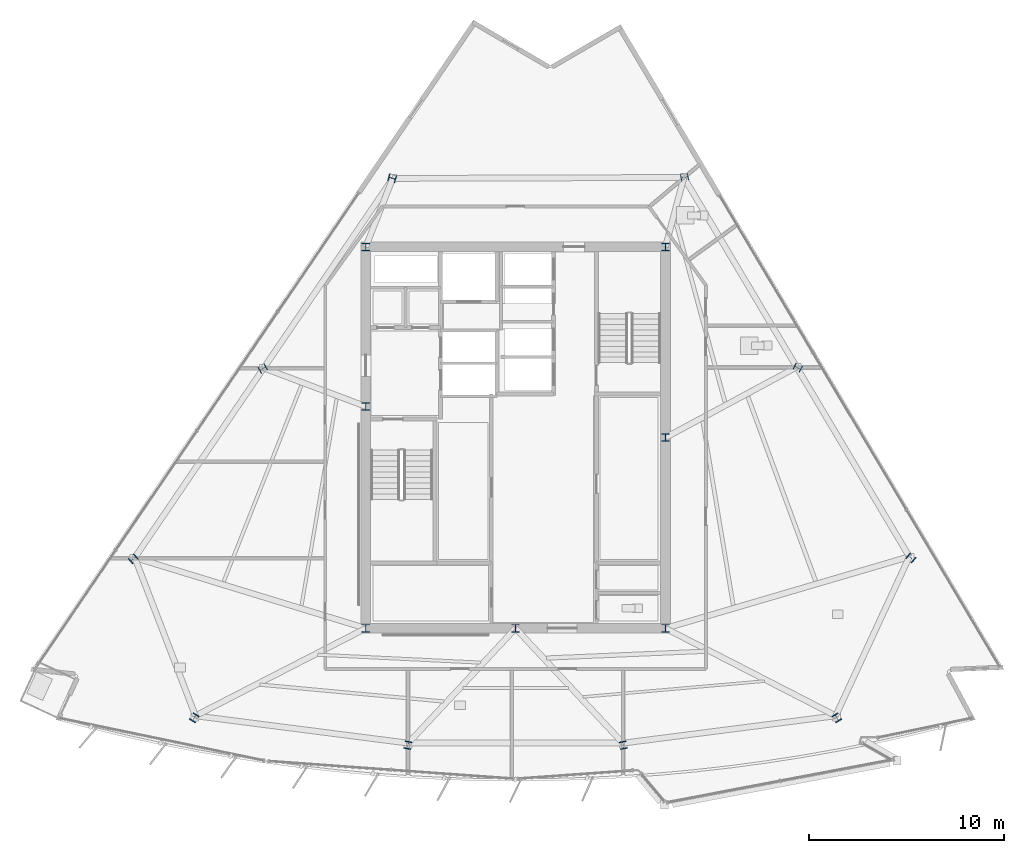
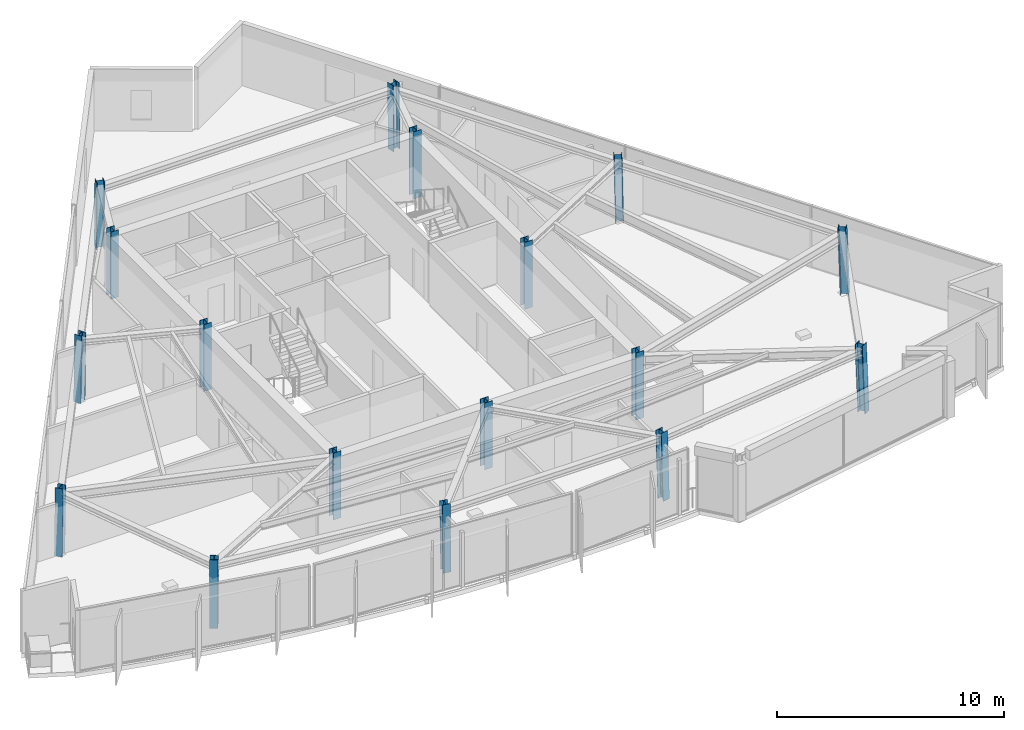
# One storey, part 1 of 14: 17 columns.
"""IFC4 building model written with IfcOpenShell, lengths in metres."""

from ifc_helpers import new_model, si_unit, direction, frame, origin, origin_2d, place, context, subcontext, project, spatial, i_section, extrude, material, material_profile, profile_set, type_object, element, save


model = new_model("IFC4")

# Units and contexts
model_context = context("Model", 3, precision=1e-05, world=origin(), true_north=direction((0.0, 1.0)))
body_context = subcontext(model_context, "Body", "Model", "MODEL_VIEW")
ifc_project = project(units=[si_unit("LENGTHUNIT", "METRE"), si_unit("AREAUNIT", "SQUARE_METRE"), si_unit("VOLUMEUNIT", "CUBIC_METRE"), si_unit("PLANEANGLEUNIT", "RADIAN"), si_unit("MASSUNIT", "GRAM", prefix="KILO")], contexts=[model_context])

# Site, building, storey
site_placement = place(None, origin())
site = spatial("IfcSite", under=ifc_project, at=site_placement, CompositionType="ELEMENT")
building_placement = place(site_placement, origin())
building = spatial("IfcBuilding", under=site, at=building_placement, Name="Savorim Split Tower", CompositionType="ELEMENT")
storey_placement = place(building_placement, frame((0.0, 0.0, 219.89990234375)))
storey = spatial("IfcBuildingStorey", under=building, at=storey_placement, Name="L58", CompositionType="ELEMENT", Elevation=219.89990234375)

# Columns
ifc_material = material(Name="Steel S355", Category="steel")
ifc_material_profile_1 = material_profile(ifc_material, i_section(OverallWidth=0.3740234375, OverallDepth=0.3720703125, WebThickness=0.01220703125, FlangeThickness=0.02001953125, FilletRadius=0.014892578125, at=origin_2d()), Name="HD 360x196")
ifc_profile_set_1 = profile_set([ifc_material_profile_1], Name="Steel S355")
column_type_1 = type_object("IfcColumnType", Name="COL-HD-196", PredefinedType="COLUMN", material=ifc_profile_set_1)
column_1_placement = place(storey_placement, frame((-16.52197265625, -14.0146484375, 0.005615234375), z_axis=(0.020596292833, 0.033511459955, 0.999226087917), x_axis=(-0.851954850327, 0.523615252838, 0.0)))
element("IfcColumn", 1, at=column_1_placement, inside=storey, type_object=column_type_1, Name="L58 Tapered Perimeter Column PC-S1", PredefinedType="COLUMN", context=body_context, shape_type="SweptSolid", body=[
    extrude(i_section(OverallWidth=0.3740234375, OverallDepth=0.3720703125, WebThickness=0.01220703125, FlangeThickness=0.02001953125, FilletRadius=0.014892578125, at=origin_2d()), origin(), (0.0, 0.0, 1.0), 3.591552734375),
])
for number, where, z_axis, x_axis, name in (
    (2, (-5.537353515625, -15.425048828125, 0.005615234375), (0.006866308162, 0.0352833063, 0.999353762243), (-0.981585848295, 0.191021523464, 0.0), "L58 Tapered Perimeter Column PC-S2"),
    (3, (5.537353515625, -15.425048828125, 0.005615234375), (-0.006866308162, 0.0352833063, 0.999353762243), (-0.981585848295, -0.191021523464, 0.0), "L58 Tapered Perimeter Column PC-S3"),
):
    element("IfcColumn", number, at=place(storey_placement, frame(where, z_axis=z_axis, x_axis=x_axis)), inside=storey, type_object=column_type_1, Name=name, PredefinedType="COLUMN", context=body_context, shape_type="SweptSolid", body=[
        extrude(i_section(OverallWidth=0.3740234375, OverallDepth=0.3720703125, WebThickness=0.01220703125, FlangeThickness=0.02001953125, FilletRadius=0.014892578125, at=origin_2d()), origin(), (0.0, 0.0, 1.0), 3.59130859375),
    ])
column_2_placement = place(storey_placement, frame((16.52197265625, -14.0146484375, 0.005615234375), z_axis=(-0.020596292833, 0.033511459955, 0.999226087917), x_axis=(-0.851954850327, -0.523615252838, 0.0)))
element("IfcColumn", 4, at=column_2_placement, inside=storey, type_object=column_type_1, Name="L58 Tapered Perimeter Column PC-S4", PredefinedType="COLUMN", context=body_context, shape_type="SweptSolid", body=[
    extrude(i_section(OverallWidth=0.3740234375, OverallDepth=0.3720703125, WebThickness=0.01220703125, FlangeThickness=0.02001953125, FilletRadius=0.014892578125, at=origin_2d()), origin(), (0.0, 0.0, 1.0), 3.591552734375),
])
column_3_placement = place(storey_placement, frame((20.324951171875, -5.796630859375, 0.005615234375), z_axis=(-0.026107436898, 0.021620221181, 0.999425318758), x_axis=(-0.637813971185, -0.770190455771, 0.0)))
element("IfcColumn", 5, at=column_3_placement, inside=storey, type_object=column_type_1, Name="L58 Tapered Perimeter Column PC-E1", PredefinedType="COLUMN", context=body_context, shape_type="SweptSolid", body=[
    extrude(i_section(OverallWidth=0.3740234375, OverallDepth=0.3720703125, WebThickness=0.01220703125, FlangeThickness=0.02001953125, FilletRadius=0.014892578125, at=origin_2d()), origin(), (0.0, 0.0, 1.0), 3.5908203125),
])
column_4_placement = place(storey_placement, frame((14.50634765625, 3.98876953125, 0.005615234375), z_axis=(-0.018907314261, 0.009589680974, 0.999775250487), x_axis=(-0.452339157861, -0.891845999187, 0.0)))
element("IfcColumn", 6, at=column_4_placement, inside=storey, type_object=column_type_1, Name="L58 Tapered Perimeter Column PC-E2", PredefinedType="COLUMN", context=body_context, shape_type="SweptSolid", body=[
    extrude(i_section(OverallWidth=0.3740234375, OverallDepth=0.3720703125, WebThickness=0.01220703125, FlangeThickness=0.02001953125, FilletRadius=0.014892578125, at=origin_2d()), origin(), (0.0, 0.0, 1.0), 3.589599609375),
])
for number, where, z_axis, x_axis, name in (
    (7, (8.687744140625, 13.774169921875, 0.005615234375), (-0.011699842352, -0.002516826552, 0.999928387072), (0.210305364179, -0.977635746993, 0.0), "L58 Tapered Perimeter Column PC-E3"),
    (8, (-6.343994140625, 13.725341796875, 0.005615234375), (0.00877514453, -0.002516901919, 0.999958330153), (0.275705143097, 0.961242255662, 0.0), "L58 Tapered Perimeter Column PC-W1"),
):
    element("IfcColumn", number, at=place(storey_placement, frame(where, z_axis=z_axis, x_axis=x_axis)), inside=storey, type_object=column_type_1, Name=name, PredefinedType="COLUMN", context=body_context, shape_type="SweptSolid", body=[
        extrude(i_section(OverallWidth=0.3740234375, OverallDepth=0.3720703125, WebThickness=0.01220703125, FlangeThickness=0.02001953125, FilletRadius=0.014892578125, at=origin_2d()), origin(), (0.0, 0.0, 1.0), 3.589111328125),
    ])
column_5_placement = place(storey_placement, frame((-13.000732421875, 3.93994140625, 0.005615234375), z_axis=(0.017003561856, 0.009590008887, 0.99980943715), x_axis=(-0.491253415567, 0.871016694268, 0.0)))
element("IfcColumn", 9, at=column_5_placement, inside=storey, type_object=column_type_1, Name="L58 Tapered Perimeter Column PC-W2", PredefinedType="COLUMN", context=body_context, shape_type="SweptSolid", body=[
    extrude(i_section(OverallWidth=0.3740234375, OverallDepth=0.3720703125, WebThickness=0.01220703125, FlangeThickness=0.02001953125, FilletRadius=0.014892578125, at=origin_2d()), origin(), (0.0, 0.0, 1.0), 3.589599609375),
])
column_6_placement = place(storey_placement, frame((-19.65771484375, -5.845458984375, 0.005615234375), z_axis=(0.025292109804, 0.02162067451, 0.999446274502), x_axis=(-0.649781149204, 0.760121344352, 0.0)))
element("IfcColumn", 10, at=column_6_placement, inside=storey, type_object=column_type_1, Name="L58 Tapered Perimeter Column PC-W3", PredefinedType="COLUMN", context=body_context, shape_type="SweptSolid", body=[
    extrude(i_section(OverallWidth=0.3740234375, OverallDepth=0.3720703125, WebThickness=0.01220703125, FlangeThickness=0.02001953125, FilletRadius=0.014892578125, at=origin_2d()), origin(), (0.0, 0.0, 1.0), 3.5908203125),
])
ifc_material_profile_2 = material_profile(ifc_material, i_section(OverallWidth=0.39794921875, OverallDepth=0.386962890625, WebThickness=0.013427734375, FlangeThickness=0.02197265625, FilletRadius=0.014892578125, at=origin_2d()), Name="HD 400x262")
ifc_profile_set_2 = profile_set([ifc_material_profile_2], Name="Steel S355")
column_type_2 = type_object("IfcColumnType", Name="COL-HD-262", PredefinedType="COLUMN", material=ifc_profile_set_2)
for number, where, z_axis, x_axis, name in (
    (11, (-7.699951171875, -9.39990234375, 0.0), (0.0, 0.0, 1.0), (1.0, 0.0, 0.0), "L58 Core Structural Column TC-C1"),
    (12, (7.699951171875, -9.39990234375, 0.0), (0.0, 0.0, 1.0), (1.0, 0.0, 0.0), "L58 Core Structural Column TC-C2"),
    (13, (7.699951171875, 10.199951171875, 0.0), (0.0, 0.0, 1.0), (1.0, 0.0, 0.0), "L58 Core Structural Column TC-C3"),
    (14, (-7.699951171875, 10.199951171875, 0.0), (0.0, 0.0, 1.0), (1.0, 0.0, 0.0), "L58 Core Structural Column TC-C4"),
    (15, (0.0, -9.39990234375, 0.0), (0.0, 0.0, 1.0), (1.0, 0.0, 0.0), "L58 Core Structural Column TC-C5"),
    (16, (7.699951171875, 0.39990234375, 0.0), (0.0, 0.0, 1.0), (1.0, 0.0, 0.0), "L58 Core Structural Column TC-C6"),
    (17, (-7.699951171875, 2.0, 0.0), (0.0, 0.0, 1.0), (1.0, 0.0, 0.0), "L58 Core Structural Column TC-C7"),
):
    element("IfcColumn", number, at=place(storey_placement, frame(where, z_axis=z_axis, x_axis=x_axis)), inside=storey, type_object=column_type_2, Name=name, PredefinedType="COLUMN", context=body_context, shape_type="SweptSolid", body=[
        extrude(i_section(OverallWidth=0.39794921875, OverallDepth=0.386962890625, WebThickness=0.013427734375, FlangeThickness=0.02197265625, FilletRadius=0.014892578125, at=origin_2d()), origin(), (0.0, 0.0, 1.0), 3.60009765625),
    ])

save(model, "model.ifc")
